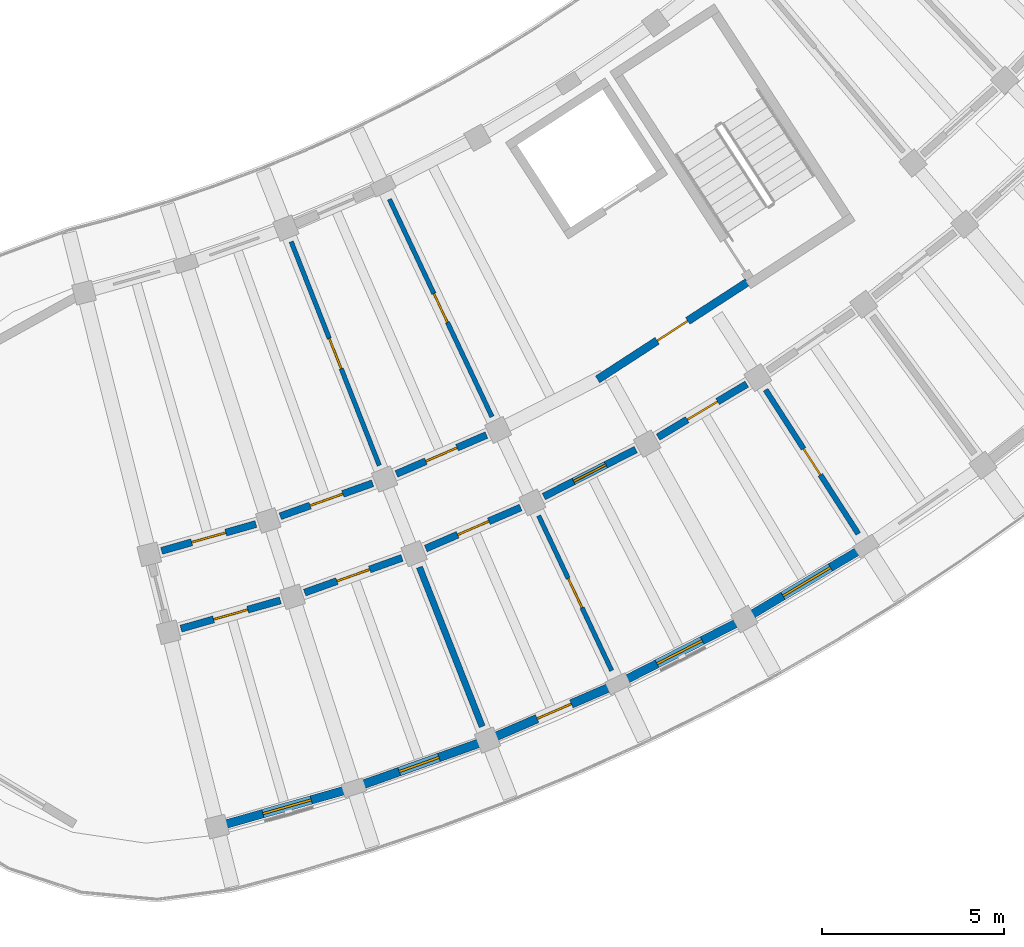
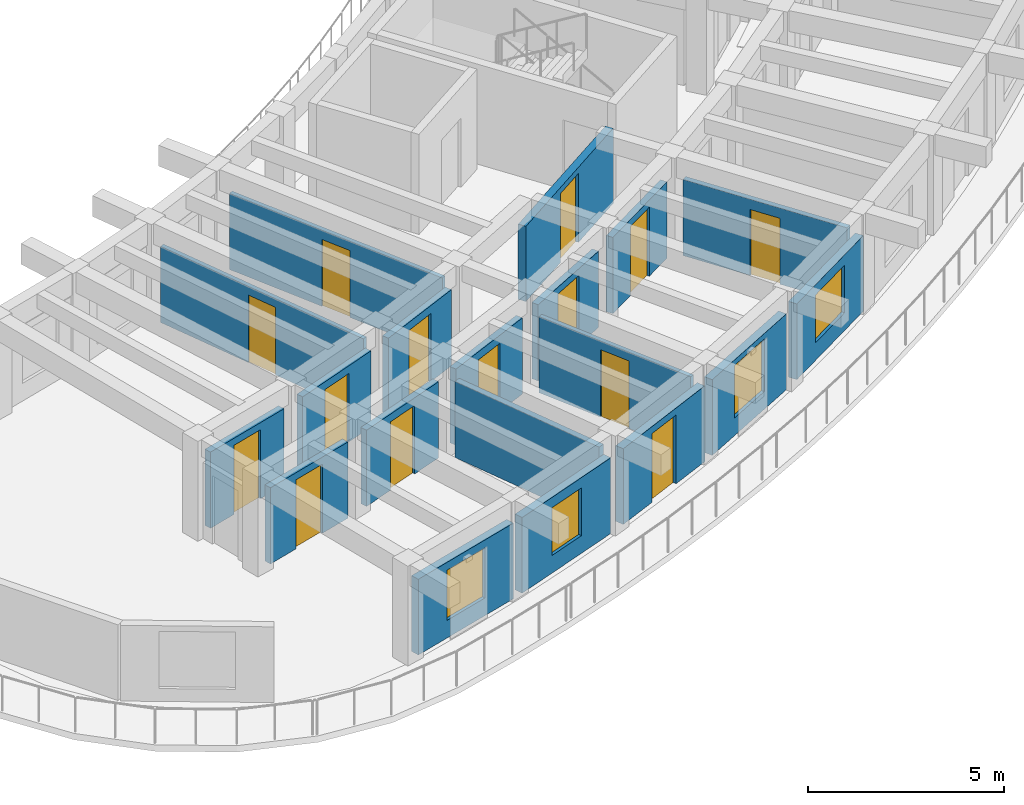
# One storey, part 52 of 81: 19 walls, 14 doors, 4 windows, 18 openings.
"""IFC4 building model written with IfcOpenShell, lengths in metres."""

from ifc_helpers import new_model, si_unit, direction, frame, frame_2d, origin, place, context, subcontext, project, spatial, rectangle, extrude, material, layer, layer_set, type_object, element, fill, save


model = new_model("IFC4")

# Units and contexts
model_context = context("Model", 3, precision=1e-05, world=origin(), true_north=direction((0.0, 1.0)))
body_context = subcontext(model_context, "Body", "Model", "MODEL_VIEW")
ifc_project = project(units=[si_unit("LENGTHUNIT", "METRE"), si_unit("AREAUNIT", "SQUARE_METRE"), si_unit("VOLUMEUNIT", "CUBIC_METRE"), si_unit("PLANEANGLEUNIT", "RADIAN"), si_unit("MASSUNIT", "GRAM", prefix="KILO")], contexts=[model_context])

# Site, building, storey
site_placement = place(None, origin())
site = spatial("IfcSite", under=ifc_project, at=site_placement, CompositionType="ELEMENT")
building_placement = place(site_placement, origin())
building = spatial("IfcBuilding", under=site, at=building_placement, Name="Tanwirah Colonnade Gardens", CompositionType="ELEMENT")
storey_placement = place(building_placement, frame((0.0, 0.0, 8.840087890625)))
storey = spatial("IfcBuildingStorey", under=building, at=storey_placement, Name="L02", CompositionType="ELEMENT", Elevation=8.840087890625)

# Wall, opening, window
ifc_material_1 = material(Name="Limestone architectural precast concrete C40/50", Category="masonry")
ifc_layer_1 = layer(ifc_material_1, 0.239990234375)
ifc_layer_set_1 = layer_set([ifc_layer_1], Name="Limestone architectural precast concrete C40/50")
wall_type_1 = type_object("IfcWallType", Name="EW-PC240", PredefinedType="SOLIDWALL", material=ifc_layer_set_1)
wall_1_placement = place(storey_placement, frame((135.64697265625, 6.787353515625, 0.0), z_axis=(0.0, 0.0, 1.0), x_axis=(0.961871954212, 0.2735001713, 0.0)))
wall_1 = element("IfcWall", 1, at=wall_1_placement, inside=storey, type_object=wall_type_1, Name="Block D L02 OUT Precast Facade Wall 0", PredefinedType="SOLIDWALL", context=body_context, shape_type="SweptSolid", body=[
    extrude(rectangle(XDim=3.48681640625, YDim=0.239990234375, at=frame_2d((1.743408203125, 0.0))), origin(), (0.0, 0.0, 1.0), 2.35498046875),
])
opening_1_placement = place(wall_1_placement, frame((1.053466796875, 0.0, 0.550048828125)))
opening_1 = element("IfcOpeningElement", 2, at=opening_1_placement, cuts=wall_1, Name="Opening WIN-T18", PredefinedType="OPENING", context=body_context, shape_type="SweptSolid", body=[
    extrude(rectangle(XDim=1.3798828125, YDim=1.56005859375, at=frame_2d((0.68994140625, 0.780029296875))), frame((0.0, 0.1298828125, 0.0), z_axis=(0.0, -1.0, 0.0), x_axis=(1.0, 0.0, 0.0)), (0.0, 0.0, 1.0), 0.260009765625),
])
ifc_material_2 = material(Name="Thermally broken bronze aluminium and solar low-E double glazing", Category="aluminium")
window_type_1 = type_object("IfcWindowType", Name="WIN-T18", PartitioningType="DOUBLE_PANEL_VERTICAL", PredefinedType="WINDOW", material=ifc_material_2)
window_1_placement = place(opening_1_placement, origin())
window_1 = element("IfcWindow", 3, at=window_1_placement, inside=storey, type_object=window_type_1, Name="Facade window D-L02-OUT-00", OverallHeight=1.56005859375, OverallWidth=1.3798828125, PartitioningType="SINGLE_PANEL", PredefinedType="WINDOW", context=body_context, shape_type="SweptSolid", body=[
    extrude(rectangle(XDim=1.3798828125, YDim=1.56005859375, at=frame_2d((0.68994140625, 0.780029296875))), frame((0.0, 0.030029296875, 0.0), z_axis=(0.0, -1.0, 0.0), x_axis=(1.0, 0.0, 0.0)), (0.0, 0.0, 1.0), 0.06005859375),
])
fill(opening_1, window_1)

wall_2_placement = place(storey_placement, frame((139.305419921875, 7.838623046875, 0.0), z_axis=(0.0, 0.0, 1.0), x_axis=(0.941903386561, 0.335883923976, 0.0)))
wall_2 = element("IfcWall", 4, at=wall_2_placement, inside=storey, type_object=wall_type_1, Name="Block D L02 OUT Precast Facade Wall 1", PredefinedType="SOLIDWALL", context=body_context, shape_type="SweptSolid", body=[
    extrude(rectangle(XDim=3.48681640625, YDim=0.239990234375, at=frame_2d((1.743408203125, 0.0))), origin(), (0.0, 0.0, 1.0), 2.35498046875),
])
opening_2_placement = place(wall_2_placement, frame((1.163330078125, 0.0, 0.550048828125)))
opening_2 = element("IfcOpeningElement", 5, at=opening_2_placement, cuts=wall_2, Name="Opening WIN-U01", PredefinedType="OPENING", context=body_context, shape_type="SweptSolid", body=[
    extrude(rectangle(XDim=1.159912109375, YDim=1.485107421875, at=frame_2d((0.580078125, 0.74267578125))), frame((0.0, 0.1298828125, 0.0), z_axis=(0.0, -1.0, 0.0), x_axis=(1.0, 0.0, 0.0)), (0.0, 0.0, 1.0), 0.260009765625),
])
window_type_2 = type_object("IfcWindowType", Name="WIN-U01", PartitioningType="DOUBLE_PANEL_VERTICAL", PredefinedType="WINDOW", material=ifc_material_2)
window_2_placement = place(opening_2_placement, origin())
window_2 = element("IfcWindow", 6, at=window_2_placement, inside=storey, type_object=window_type_2, Name="Facade window D-L02-OUT-01", OverallHeight=1.485107421875, OverallWidth=1.159912109375, PartitioningType="SINGLE_PANEL", PredefinedType="WINDOW", context=body_context, shape_type="SweptSolid", body=[
    extrude(rectangle(XDim=1.159912109375, YDim=1.485107421875, at=frame_2d((0.580078125, 0.74267578125))), frame((0.0, 0.030029296875, 0.0), z_axis=(0.0, -1.0, 0.0), x_axis=(1.0, 0.0, 0.0)), (0.0, 0.0, 1.0), 0.06005859375),
])
fill(opening_2, window_2)

# Wall, opening, door
wall_3_placement = place(storey_placement, frame((143.0546875, 9.19287109375, 0.0), z_axis=(0.0, 0.0, 1.0), x_axis=(0.917938367037, 0.396723019652, 0.0)))
wall_3 = element("IfcWall", 7, at=wall_3_placement, inside=storey, type_object=wall_type_1, Name="Block D L02 OUT Precast Facade Wall 2", PredefinedType="SOLIDWALL", context=body_context, shape_type="SweptSolid", body=[
    extrude(rectangle(XDim=3.48681640625, YDim=0.239990234375, at=frame_2d((1.743408203125, 0.0))), origin(), (0.0, 0.0, 1.0), 2.35498046875),
])
opening_3_placement = place(wall_3_placement, frame((1.2333984375, 0.0, 0.0)))
opening_3 = element("IfcOpeningElement", 8, at=opening_3_placement, cuts=wall_3, Name="Opening L02-ED181", PredefinedType="OPENING", context=body_context, shape_type="SweptSolid", body=[
    extrude(rectangle(XDim=1.02001953125, YDim=2.139892578125, at=frame_2d((0.510009765625, 1.06982421875))), frame((0.0, 0.1298828125, 0.0), z_axis=(0.0, -1.0, 0.0), x_axis=(1.0, 0.0, 0.0)), (0.0, 0.0, 1.0), 0.260009765625),
])
ifc_material_3 = material(Name="Bronze aluminium glazed balcony door", Category="aluminium")
door_type_1 = type_object("IfcDoorType", Name="ED-BAL102", OperationType="NOTDEFINED", PredefinedType="DOOR", material=ifc_material_3)
door_1_placement = place(opening_3_placement, origin())
door_1 = element("IfcDoor", 9, at=door_1_placement, inside=storey, type_object=door_type_1, Name="Balcony glazed door L02-ED181", OperationType="SINGLE_SWING_LEFT", OverallHeight=2.139892578125, OverallWidth=1.02001953125, PredefinedType="DOOR", context=body_context, shape_type="SweptSolid", body=[
    extrude(rectangle(XDim=1.02001953125, YDim=2.139892578125, at=frame_2d((0.510009765625, 1.06982421875))), frame((0.0, 0.02490234375, 0.0), z_axis=(0.0, -1.0, 0.0), x_axis=(1.0, 0.0, 0.0)), (0.0, 0.0, 1.0), 0.050048828125),
])
fill(opening_3, door_1)

# Wall, opening, window
wall_4_placement = place(storey_placement, frame((146.544677734375, 10.712646484375, 0.0), z_axis=(0.0, 0.0, 1.0), x_axis=(0.890001092753, 0.45595839163, 0.0)))
wall_4 = element("IfcWall", 10, at=wall_4_placement, inside=storey, type_object=wall_type_1, Name="Block D L02 OUT Precast Facade Wall 3", PredefinedType="SOLIDWALL", context=body_context, shape_type="SweptSolid", body=[
    extrude(rectangle(XDim=3.48681640625, YDim=0.239990234375, at=frame_2d((1.743408203125, 0.0))), origin(), (0.0, 0.0, 1.0), 2.35498046875),
])
opening_4_placement = place(wall_4_placement, frame((1.04345703125, 0.0, 0.550048828125)))
opening_4 = element("IfcOpeningElement", 11, at=opening_4_placement, cuts=wall_4, Name="Opening WIN-U07", PredefinedType="OPENING", context=body_context, shape_type="SweptSolid", body=[
    extrude(rectangle(XDim=1.39990234375, YDim=1.635009765625, at=frame_2d((0.699951171875, 0.8173828125))), frame((0.0, 0.1298828125, 0.0), z_axis=(0.0, -1.0, 0.0), x_axis=(1.0, 0.0, 0.0)), (0.0, 0.0, 1.0), 0.260009765625),
])
window_type_3 = type_object("IfcWindowType", Name="WIN-U07", PartitioningType="DOUBLE_PANEL_VERTICAL", PredefinedType="WINDOW", material=ifc_material_2)
window_3_placement = place(opening_4_placement, origin())
window_3 = element("IfcWindow", 12, at=window_3_placement, inside=storey, type_object=window_type_3, Name="Facade window D-L02-OUT-03", OverallHeight=1.635009765625, OverallWidth=1.39990234375, PartitioningType="SINGLE_PANEL", PredefinedType="WINDOW", context=body_context, shape_type="SweptSolid", body=[
    extrude(rectangle(XDim=1.39990234375, YDim=1.635009765625, at=frame_2d((0.699951171875, 0.8173828125))), frame((0.0, 0.030029296875, 0.0), z_axis=(0.0, -1.0, 0.0), x_axis=(1.0, 0.0, 0.0)), (0.0, 0.0, 1.0), 0.06005859375),
])
fill(opening_4, window_3)

wall_5_placement = place(storey_placement, frame((150.0849609375, 12.544677734375, 0.0), z_axis=(0.0, 0.0, 1.0), x_axis=(0.858288874148, 0.513166842766, 0.0)))
wall_5 = element("IfcWall", 13, at=wall_5_placement, inside=storey, type_object=wall_type_1, Name="Block D L02 OUT Precast Facade Wall 4", PredefinedType="SOLIDWALL", context=body_context, shape_type="SweptSolid", body=[
    extrude(rectangle(XDim=3.48681640625, YDim=0.239990234375, at=frame_2d((1.743408203125, 0.0))), origin(), (0.0, 0.0, 1.0), 2.35498046875),
])
opening_5_placement = place(wall_5_placement, frame((0.9833984375, 0.0, 0.550048828125)))
opening_5 = element("IfcOpeningElement", 14, at=opening_5_placement, cuts=wall_5, Name="Opening WIN-U10", PredefinedType="OPENING", context=body_context, shape_type="SweptSolid", body=[
    extrude(rectangle(XDim=1.52001953125, YDim=1.485107421875, at=frame_2d((0.760009765625, 0.74267578125))), frame((0.0, 0.1298828125, 0.0), z_axis=(0.0, -1.0, 0.0), x_axis=(1.0, 0.0, 0.0)), (0.0, 0.0, 1.0), 0.260009765625),
])
window_type_4 = type_object("IfcWindowType", Name="WIN-U10", PartitioningType="DOUBLE_PANEL_VERTICAL", PredefinedType="WINDOW", material=ifc_material_2)
window_4_placement = place(opening_5_placement, origin())
window_4 = element("IfcWindow", 15, at=window_4_placement, inside=storey, type_object=window_type_4, Name="Facade window D-L02-OUT-04", OverallHeight=1.485107421875, OverallWidth=1.52001953125, PartitioningType="SINGLE_PANEL", PredefinedType="WINDOW", context=body_context, shape_type="SweptSolid", body=[
    extrude(rectangle(XDim=1.52001953125, YDim=1.485107421875, at=frame_2d((0.760009765625, 0.74267578125))), frame((0.0, 0.030029296875, 0.0), z_axis=(0.0, -1.0, 0.0), x_axis=(1.0, 0.0, 0.0)), (0.0, 0.0, 1.0), 0.06005859375),
])
fill(opening_5, window_4)

# Wall, opening, door
ifc_material_4 = material(Name="Precast concrete C40/50", Category="concrete")
ifc_layer_2 = layer(ifc_material_4, 0.195068359375)
ifc_layer_set_2 = layer_set([ifc_layer_2], Name="Precast concrete C40/50")
wall_type_2 = type_object("IfcWallType", Name="IW-CORR195", PredefinedType="PARTITIONING", material=ifc_layer_set_2)
wall_6_placement = place(storey_placement, frame((134.41259765625, 12.1513671875, 0.0), z_axis=(0.0, 0.0, 1.0), x_axis=(0.961873892319, 0.273493355085, 0.0)))
wall_6 = element("IfcWall", 16, at=wall_6_placement, inside=storey, type_object=wall_type_2, Name="Block D L02 OUT Corridor Wall 0", PredefinedType="PARTITIONING", context=body_context, shape_type="SweptSolid", body=[
    extrude(rectangle(XDim=2.8369140625, YDim=0.195068359375, at=frame_2d((1.41845703125, 0.0))), origin(), (0.0, 0.0, 1.0), 2.369873046875),
])
opening_6_placement = place(wall_6_placement, frame((0.93359375, 0.0, 0.0)))
opening_6 = element("IfcOpeningElement", 17, at=opening_6_placement, cuts=wall_6, Name="Opening L02-AD1724", PredefinedType="OPENING", context=body_context, shape_type="SweptSolid", body=[
    extrude(rectangle(XDim=0.969970703125, YDim=2.14990234375, at=frame_2d((0.48486328125, 1.074951171875))), frame((0.0, 0.107421875, 0.0), z_axis=(0.0, -1.0, 0.0), x_axis=(1.0, 0.0, 0.0)), (0.0, 0.0, 1.0), 0.215087890625),
])
ifc_material_5 = material(Name="Solid oak fire-resisting apartment entrance door")
door_type_2 = type_object("IfcDoorType", Name="ID-FLT097", OperationType="NOTDEFINED", PredefinedType="DOOR", material=ifc_material_5)
door_2_placement = place(opening_6_placement, origin())
door_2 = element("IfcDoor", 18, at=door_2_placement, inside=storey, type_object=door_type_2, Name="Apartment corridor door L02-AD1724", OperationType="SINGLE_SWING_LEFT", OverallHeight=2.14990234375, OverallWidth=0.969970703125, PredefinedType="DOOR", context=body_context, shape_type="SweptSolid", body=[
    extrude(rectangle(XDim=0.969970703125, YDim=2.14990234375, at=frame_2d((0.48486328125, 1.074951171875))), frame((0.0, 0.02490234375, 0.0), z_axis=(0.0, -1.0, 0.0), x_axis=(1.0, 0.0, 0.0)), (0.0, 0.0, 1.0), 0.050048828125),
])
fill(opening_6, door_2)

wall_7_placement = place(storey_placement, frame((133.88037109375, 14.285888671875, 0.0), z_axis=(0.0, 0.0, 1.0), x_axis=(0.961861926514, 0.273535435224, 0.0)))
wall_7 = element("IfcWall", 19, at=wall_7_placement, inside=storey, type_object=wall_type_2, Name="Block D L02 IN Corridor Wall 0", PredefinedType="PARTITIONING", context=body_context, shape_type="SweptSolid", body=[
    extrude(rectangle(XDim=2.69287109375, YDim=0.195068359375, at=frame_2d((1.346435546875, 0.0))), origin(), (0.0, 0.0, 1.0), 2.369873046875),
])
opening_7_placement = place(wall_7_placement, frame((0.861572265625, 0.0, 0.0)))
opening_7 = element("IfcOpeningElement", 20, at=opening_7_placement, cuts=wall_7, Name="Opening L02-AD1725", PredefinedType="OPENING", context=body_context, shape_type="SweptSolid", body=[
    extrude(rectangle(XDim=0.969970703125, YDim=2.14990234375, at=frame_2d((0.48486328125, 1.074951171875))), frame((0.0, 0.107421875, 0.0), z_axis=(0.0, -1.0, 0.0), x_axis=(1.0, 0.0, 0.0)), (0.0, 0.0, 1.0), 0.215087890625),
])
door_3_placement = place(opening_7_placement, origin())
door_3 = element("IfcDoor", 21, at=door_3_placement, inside=storey, type_object=door_type_2, Name="Apartment corridor door L02-AD1725", OperationType="SINGLE_SWING_RIGHT", OverallHeight=2.14990234375, OverallWidth=0.969970703125, PredefinedType="DOOR", context=body_context, shape_type="SweptSolid", body=[
    extrude(rectangle(XDim=0.969970703125, YDim=2.14990234375, at=frame_2d((0.48486328125, 1.074951171875))), frame((0.0, 0.02490234375, 0.0), z_axis=(0.0, -1.0, 0.0), x_axis=(1.0, 0.0, 0.0)), (0.0, 0.0, 1.0), 0.050048828125),
])
fill(opening_7, door_3)

wall_8_placement = place(storey_placement, frame((137.8076171875, 13.140625, 0.0), z_axis=(0.0, 0.0, 1.0), x_axis=(0.941930628611, 0.335807520589, 0.0)))
wall_8 = element("IfcWall", 22, at=wall_8_placement, inside=storey, type_object=wall_type_2, Name="Block D L02 OUT Corridor Wall 1", PredefinedType="PARTITIONING", context=body_context, shape_type="SweptSolid", body=[
    extrude(rectangle(XDim=2.8369140625, YDim=0.195068359375, at=frame_2d((1.41845703125, 0.0))), origin(), (0.0, 0.0, 1.0), 2.369873046875),
])
opening_8_placement = place(wall_8_placement, frame((0.943603515625, 0.0, 0.0)))
opening_8 = element("IfcOpeningElement", 23, at=opening_8_placement, cuts=wall_8, Name="Opening L02-AD1726", PredefinedType="OPENING", context=body_context, shape_type="SweptSolid", body=[
    extrude(rectangle(XDim=0.949951171875, YDim=2.1298828125, at=frame_2d((0.47509765625, 1.06494140625))), frame((0.0, 0.107421875, 0.0), z_axis=(0.0, -1.0, 0.0), x_axis=(1.0, 0.0, 0.0)), (0.0, 0.0, 1.0), 0.215087890625),
])
door_type_3 = type_object("IfcDoorType", Name="ID-FLT095", OperationType="NOTDEFINED", PredefinedType="DOOR", material=ifc_material_5)
door_4_placement = place(opening_8_placement, origin())
door_4 = element("IfcDoor", 24, at=door_4_placement, inside=storey, type_object=door_type_3, Name="Apartment corridor door L02-AD1726", OperationType="SINGLE_SWING_RIGHT", OverallHeight=2.1298828125, OverallWidth=0.949951171875, PredefinedType="DOOR", context=body_context, shape_type="SweptSolid", body=[
    extrude(rectangle(XDim=0.949951171875, YDim=2.1298828125, at=frame_2d((0.47509765625, 1.06494140625))), frame((0.0, 0.02490234375, 0.0), z_axis=(0.0, -1.0, 0.0), x_axis=(1.0, 0.0, 0.0)), (0.0, 0.0, 1.0), 0.050048828125),
])
fill(opening_8, door_4)

wall_9_placement = place(storey_placement, frame((137.136962890625, 15.23583984375, 0.0), z_axis=(0.0, 0.0, 1.0), x_axis=(0.941895652647, 0.335905611036, 0.0)))
wall_9 = element("IfcWall", 25, at=wall_9_placement, inside=storey, type_object=wall_type_2, Name="Block D L02 IN Corridor Wall 1", PredefinedType="PARTITIONING", context=body_context, shape_type="SweptSolid", body=[
    extrude(rectangle(XDim=2.69287109375, YDim=0.195068359375, at=frame_2d((1.346435546875, 0.0))), origin(), (0.0, 0.0, 1.0), 2.369873046875),
])
opening_9_placement = place(wall_9_placement, frame((0.87158203125, 0.0, 0.0)))
opening_9 = element("IfcOpeningElement", 26, at=opening_9_placement, cuts=wall_9, Name="Opening L02-AD1727", PredefinedType="OPENING", context=body_context, shape_type="SweptSolid", body=[
    extrude(rectangle(XDim=0.949951171875, YDim=2.1298828125, at=frame_2d((0.47509765625, 1.06494140625))), frame((0.0, 0.107421875, 0.0), z_axis=(0.0, -1.0, 0.0), x_axis=(1.0, 0.0, 0.0)), (0.0, 0.0, 1.0), 0.215087890625),
])
door_5_placement = place(opening_9_placement, origin())
door_5 = element("IfcDoor", 27, at=door_5_placement, inside=storey, type_object=door_type_3, Name="Apartment corridor door L02-AD1727", OperationType="SINGLE_SWING_LEFT", OverallHeight=2.1298828125, OverallWidth=0.949951171875, PredefinedType="DOOR", context=body_context, shape_type="SweptSolid", body=[
    extrude(rectangle(XDim=0.949951171875, YDim=2.1298828125, at=frame_2d((0.47509765625, 1.06494140625))), frame((0.0, 0.02490234375, 0.0), z_axis=(0.0, -1.0, 0.0), x_axis=(1.0, 0.0, 0.0)), (0.0, 0.0, 1.0), 0.050048828125),
])
fill(opening_9, door_5)

wall_10_placement = place(storey_placement, frame((141.130615234375, 14.349853515625, 0.0), z_axis=(0.0, 0.0, 1.0), x_axis=(0.917943439406, 0.396711282991, 0.0)))
wall_10 = element("IfcWall", 28, at=wall_10_placement, inside=storey, type_object=wall_type_2, Name="Block D L02 OUT Corridor Wall 2", PredefinedType="PARTITIONING", context=body_context, shape_type="SweptSolid", body=[
    extrude(rectangle(XDim=2.837158203125, YDim=0.195068359375, at=frame_2d((1.41845703125, 0.0))), origin(), (0.0, 0.0, 1.0), 2.369873046875),
])
opening_10_placement = place(wall_10_placement, frame((0.95361328125, 0.0, 0.0)))
opening_10 = element("IfcOpeningElement", 29, at=opening_10_placement, cuts=wall_10, Name="Opening L02-AD1729", PredefinedType="OPENING", context=body_context, shape_type="SweptSolid", body=[
    extrude(rectangle(XDim=0.929931640625, YDim=2.1201171875, at=frame_2d((0.46484375, 1.06005859375))), frame((0.0, 0.107421875, 0.0), z_axis=(0.0, -1.0, 0.0), x_axis=(1.0, 0.0, 0.0)), (0.0, 0.0, 1.0), 0.215087890625),
])
door_type_4 = type_object("IfcDoorType", Name="ID-FLT093", OperationType="NOTDEFINED", PredefinedType="DOOR", material=ifc_material_5)
door_6_placement = place(opening_10_placement, origin())
door_6 = element("IfcDoor", 30, at=door_6_placement, inside=storey, type_object=door_type_4, Name="Apartment corridor door L02-AD1729", OperationType="SINGLE_SWING_LEFT", OverallHeight=2.1201171875, OverallWidth=0.929931640625, PredefinedType="DOOR", context=body_context, shape_type="SweptSolid", body=[
    extrude(rectangle(XDim=0.929931640625, YDim=2.1201171875, at=frame_2d((0.46484375, 1.06005859375))), frame((0.0, 0.02490234375, 0.0), z_axis=(0.0, -1.0, 0.0), x_axis=(1.0, 0.0, 0.0)), (0.0, 0.0, 1.0), 0.050048828125),
])
fill(opening_10, door_6)

wall_11_placement = place(storey_placement, frame((140.324462890625, 16.396728515625, 0.0), z_axis=(0.0, 0.0, 1.0), x_axis=(0.91793557165, 0.39672948756, 0.0)))
wall_11 = element("IfcWall", 31, at=wall_11_placement, inside=storey, type_object=wall_type_2, Name="Block D L02 IN Corridor Wall 2", PredefinedType="PARTITIONING", context=body_context, shape_type="SweptSolid", body=[
    extrude(rectangle(XDim=2.69287109375, YDim=0.195068359375, at=frame_2d((1.346435546875, 0.0))), origin(), (0.0, 0.0, 1.0), 2.369873046875),
])
opening_11_placement = place(wall_11_placement, frame((0.881591796875, 0.0, 0.0)))
opening_11 = element("IfcOpeningElement", 32, at=opening_11_placement, cuts=wall_11, Name="Opening L02-AD1730", PredefinedType="OPENING", context=body_context, shape_type="SweptSolid", body=[
    extrude(rectangle(XDim=0.929931640625, YDim=2.1201171875, at=frame_2d((0.46484375, 1.06005859375))), frame((0.0, 0.107421875, 0.0), z_axis=(0.0, -1.0, 0.0), x_axis=(1.0, 0.0, 0.0)), (0.0, 0.0, 1.0), 0.215087890625),
])
door_7_placement = place(opening_11_placement, origin())
door_7 = element("IfcDoor", 33, at=door_7_placement, inside=storey, type_object=door_type_4, Name="Apartment corridor door L02-AD1730", OperationType="SINGLE_SWING_RIGHT", OverallHeight=2.1201171875, OverallWidth=0.929931640625, PredefinedType="DOOR", context=body_context, shape_type="SweptSolid", body=[
    extrude(rectangle(XDim=0.929931640625, YDim=2.1201171875, at=frame_2d((0.46484375, 1.06005859375))), frame((0.0, 0.02490234375, 0.0), z_axis=(0.0, -1.0, 0.0), x_axis=(1.0, 0.0, 0.0)), (0.0, 0.0, 1.0), 0.050048828125),
])
fill(opening_11, door_7)

wall_12_placement = place(storey_placement, frame((144.367431640625, 15.773681640625, 0.0), z_axis=(0.0, 0.0, 1.0), x_axis=(0.890030590607, 0.45590080915, 0.0)))
wall_12 = element("IfcWall", 34, at=wall_12_placement, inside=storey, type_object=wall_type_2, Name="Block D L02 OUT Corridor Wall 3", PredefinedType="PARTITIONING", context=body_context, shape_type="SweptSolid", body=[
    extrude(rectangle(XDim=2.837158203125, YDim=0.195068359375, at=frame_2d((1.41845703125, 0.0))), origin(), (0.0, 0.0, 1.0), 2.369873046875),
])
opening_12_placement = place(wall_12_placement, frame((0.923583984375, 0.0, 0.0)))
opening_12 = element("IfcOpeningElement", 35, at=opening_12_placement, cuts=wall_12, Name="Opening L02-AD1733", PredefinedType="OPENING", context=body_context, shape_type="SweptSolid", body=[
    extrude(rectangle(XDim=0.989990234375, YDim=2.159912109375, at=frame_2d((0.4951171875, 1.080078125))), frame((0.0, 0.107421875, 0.0), z_axis=(0.0, -1.0, 0.0), x_axis=(1.0, 0.0, 0.0)), (0.0, 0.0, 1.0), 0.215087890625),
])
door_type_5 = type_object("IfcDoorType", Name="ID-FLT099", OperationType="NOTDEFINED", PredefinedType="DOOR", material=ifc_material_5)
door_8_placement = place(opening_12_placement, origin())
door_8 = element("IfcDoor", 36, at=door_8_placement, inside=storey, type_object=door_type_5, Name="Apartment corridor door L02-AD1733", OperationType="SINGLE_SWING_RIGHT", OverallHeight=2.159912109375, OverallWidth=0.989990234375, PredefinedType="DOOR", context=body_context, shape_type="SweptSolid", body=[
    extrude(rectangle(XDim=0.989990234375, YDim=2.159912109375, at=frame_2d((0.4951171875, 1.080078125))), frame((0.0, 0.02490234375, 0.0), z_axis=(0.0, -1.0, 0.0), x_axis=(1.0, 0.0, 0.0)), (0.0, 0.0, 1.0), 0.050048828125),
])
fill(opening_12, door_8)

wall_13_placement = place(storey_placement, frame((147.50439453125, 17.406494140625, 0.0), z_axis=(0.0, 0.0, 1.0), x_axis=(0.858281647443, 0.51317892948, 0.0)))
wall_13 = element("IfcWall", 37, at=wall_13_placement, inside=storey, type_object=wall_type_2, Name="Block D L02 OUT Corridor Wall 4", PredefinedType="PARTITIONING", context=body_context, shape_type="SweptSolid", body=[
    extrude(rectangle(XDim=2.8369140625, YDim=0.195068359375, at=frame_2d((1.41845703125, 0.0))), origin(), (0.0, 0.0, 1.0), 2.369873046875),
])
opening_13_placement = place(wall_13_placement, frame((0.93359375, 0.0, 0.0)))
opening_13 = element("IfcOpeningElement", 38, at=opening_13_placement, cuts=wall_13, Name="Opening L02-AD1734", PredefinedType="OPENING", context=body_context, shape_type="SweptSolid", body=[
    extrude(rectangle(XDim=0.969970703125, YDim=2.14990234375, at=frame_2d((0.48486328125, 1.074951171875))), frame((0.0, 0.107421875, 0.0), z_axis=(0.0, -1.0, 0.0), x_axis=(1.0, 0.0, 0.0)), (0.0, 0.0, 1.0), 0.215087890625),
])
door_9_placement = place(opening_13_placement, origin())
door_9 = element("IfcDoor", 39, at=door_9_placement, inside=storey, type_object=door_type_2, Name="Apartment corridor door L02-AD1734", OperationType="SINGLE_SWING_LEFT", OverallHeight=2.14990234375, OverallWidth=0.969970703125, PredefinedType="DOOR", context=body_context, shape_type="SweptSolid", body=[
    extrude(rectangle(XDim=0.969970703125, YDim=2.14990234375, at=frame_2d((0.48486328125, 1.074951171875))), frame((0.0, 0.02490234375, 0.0), z_axis=(0.0, -1.0, 0.0), x_axis=(1.0, 0.0, 0.0)), (0.0, 0.0, 1.0), 0.050048828125),
])
fill(opening_13, door_9)

# Wall
ifc_layer_3 = layer(ifc_material_4, 0.175048828125)
ifc_layer_set_3 = layer_set([ifc_layer_3], Name="Precast concrete C40/50")
wall_type_3 = type_object("IfcWallType", Name="IW-DEM175", PredefinedType="PARTITIONING", material=ifc_layer_set_3)
wall_14_placement = place(storey_placement, frame((140.9560546875, 13.8388671875, 0.0), z_axis=(0.0, 0.0, 1.0), x_axis=(0.366468650514, -0.930430399434, 0.0)))
element("IfcWall", 40, at=wall_14_placement, inside=storey, type_object=wall_type_3, Name="Block D L02 Radial Partition 1", PredefinedType="PARTITIONING", context=body_context, shape_type="SweptSolid", body=[
    extrude(rectangle(XDim=4.699951171875, YDim=0.175048828125, at=frame_2d((2.35009765625, 0.0))), origin(), (0.0, 0.0, 1.0), 2.369873046875),
])

# Wall, opening, door
ifc_material_6 = material(Name="Autoclaved aerated masonry blockwork", Category="masonry")
ifc_layer_4 = layer(ifc_material_6, 0.219970703125)
ifc_layer_set_4 = layer_set([ifc_layer_4], Name="Autoclaved aerated masonry blockwork")
wall_type_4 = type_object("IfcWallType", Name="IW-FFL220", PredefinedType="PARTITIONING", material=ifc_layer_set_4)
wall_15_placement = place(storey_placement, frame((149.95458984375, 21.658203125, 0.0), z_axis=(0.0, 0.0, 1.0), x_axis=(-0.838681446513, -0.544622283124, 0.0)))
wall_15 = element("IfcWall", 41, at=wall_15_placement, inside=storey, type_object=wall_type_4, Name="CORE-D1 L02 Enclosed Lobby Fire Wall", PredefinedType="PARTITIONING", context=body_context, shape_type="SweptSolid", body=[
    extrude(rectangle(XDim=4.900146484375, YDim=0.219970703125, at=frame_2d((2.4501953125, 0.0))), origin(), (0.0, 0.0, 1.0), 2.33984375),
])
opening_14_placement = place(wall_15_placement, frame((1.949951171875, 0.0, 0.0)))
opening_14 = element("IfcOpeningElement", 42, at=opening_14_placement, cuts=wall_15, Name="Opening L02-LD182", PredefinedType="OPENING", context=body_context, shape_type="SweptSolid", body=[
    extrude(rectangle(XDim=1.0, YDim=2.14990234375, at=frame_2d((0.5, 1.074951171875))), frame((0.0, 0.119873046875, 0.0), z_axis=(0.0, -1.0, 0.0), x_axis=(1.0, 0.0, 0.0)), (0.0, 0.0, 1.0), 0.239990234375),
])
ifc_material_7 = material(Name="Acoustic fire-resisting lobby door")
door_type_6 = type_object("IfcDoorType", Name="ID-FFL100", OperationType="NOTDEFINED", PredefinedType="DOOR", material=ifc_material_7)
door_10_placement = place(opening_14_placement, origin())
door_10 = element("IfcDoor", 43, at=door_10_placement, inside=storey, type_object=door_type_6, Name="CORE-D1 L02 Lobby Fire Door L02-LD182", OperationType="SINGLE_SWING_LEFT", OverallHeight=2.14990234375, OverallWidth=1.0, PredefinedType="DOOR", context=body_context, shape_type="SweptSolid", body=[
    extrude(rectangle(XDim=1.0, YDim=2.14990234375, at=frame_2d((0.5, 1.074951171875))), frame((0.0, 0.02490234375, 0.0), z_axis=(0.0, -1.0, 0.0), x_axis=(1.0, 0.0, 0.0)), (0.0, 0.0, 1.0), 0.050048828125),
])
fill(opening_14, door_10)

ifc_material_8 = material(Name="Moisture-resistant gypsum stud partition")
ifc_layer_5 = layer(ifc_material_8, 0.125)
ifc_layer_set_5 = layer_set([ifc_layer_5], Name="Moisture-resistant gypsum stud partition")
wall_type_5 = type_object("IfcWallType", Name="IW-INT125", PredefinedType="PARTITIONING", material=ifc_layer_set_5)
wall_16_placement = place(storey_placement, frame((137.4375, 22.770751953125, 0.0), z_axis=(0.0, 0.0, 1.0), x_axis=(0.366512873936, -0.930412979939, 0.0)))
wall_16 = element("IfcWall", 44, at=wall_16_placement, inside=storey, type_object=wall_type_5, Name="Block D L02 Inner Radial Partition 1", PredefinedType="PARTITIONING", context=body_context, shape_type="SweptSolid", body=[
    extrude(rectangle(XDim=6.599853515625, YDim=0.125, at=frame_2d((3.2998046875, 0.0))), origin(), (0.0, 0.0, 1.0), 2.369873046875),
])
opening_15_placement = place(wall_16_placement, frame((2.85498046875, 0.0, 0.0)))
opening_15 = element("IfcOpeningElement", 45, at=opening_15_placement, cuts=wall_16, Name="Opening L02-RD1728", PredefinedType="OPENING", context=body_context, shape_type="SweptSolid", body=[
    extrude(rectangle(XDim=0.889892578125, YDim=2.10009765625, at=frame_2d((0.44482421875, 1.050048828125))), frame((0.0, 0.072509765625, 0.0), z_axis=(0.0, -1.0, 0.0), x_axis=(1.0, 0.0, 0.0)), (0.0, 0.0, 1.0), 0.14501953125),
])
ifc_material_9 = material(Name="Painted hardwood bedroom door", Category="wood")
door_type_7 = type_object("IfcDoorType", Name="ID-RM089", OperationType="NOTDEFINED", PredefinedType="DOOR", material=ifc_material_9)
door_11_placement = place(opening_15_placement, origin())
door_11 = element("IfcDoor", 46, at=door_11_placement, inside=storey, type_object=door_type_7, Name="Internal apartment door L02-RD1728", OperationType="SINGLE_SWING_LEFT", OverallHeight=2.10009765625, OverallWidth=0.889892578125, PredefinedType="DOOR", context=body_context, shape_type="SweptSolid", body=[
    extrude(rectangle(XDim=0.889892578125, YDim=2.10009765625, at=frame_2d((0.44482421875, 1.050048828125))), frame((0.0, 0.02490234375, 0.0), z_axis=(0.0, -1.0, 0.0), x_axis=(1.0, 0.0, 0.0)), (0.0, 0.0, 1.0), 0.050048828125),
])
fill(opening_15, door_11)

wall_17_placement = place(storey_placement, frame((144.2265625, 15.25244140625, 0.0), z_axis=(0.0, 0.0, 1.0), x_axis=(0.426567365945, -0.904455793453, 0.0)))
wall_17 = element("IfcWall", 47, at=wall_17_placement, inside=storey, type_object=wall_type_5, Name="Block D L02 Radial Partition 2", PredefinedType="PARTITIONING", context=body_context, shape_type="SweptSolid", body=[
    extrude(rectangle(XDim=4.699951171875, YDim=0.125, at=frame_2d((2.35009765625, 0.0))), origin(), (0.0, 0.0, 1.0), 2.369873046875),
])
opening_16_placement = place(wall_17_placement, frame((1.905029296875, 0.0, 0.0)))
opening_16 = element("IfcOpeningElement", 48, at=opening_16_placement, cuts=wall_17, Name="Opening L02-RD1731", PredefinedType="OPENING", context=body_context, shape_type="SweptSolid", body=[
    extrude(rectangle(XDim=0.889892578125, YDim=2.10009765625, at=frame_2d((0.44482421875, 1.050048828125))), frame((0.0, 0.072509765625, 0.0), z_axis=(0.0, -1.0, 0.0), x_axis=(1.0, 0.0, 0.0)), (0.0, 0.0, 1.0), 0.14501953125),
])
door_12_placement = place(opening_16_placement, origin())
door_12 = element("IfcDoor", 49, at=door_12_placement, inside=storey, type_object=door_type_7, Name="Internal apartment door L02-RD1731", OperationType="SINGLE_SWING_LEFT", OverallHeight=2.10009765625, OverallWidth=0.889892578125, PredefinedType="DOOR", context=body_context, shape_type="SweptSolid", body=[
    extrude(rectangle(XDim=0.889892578125, YDim=2.10009765625, at=frame_2d((0.44482421875, 1.050048828125))), frame((0.0, 0.02490234375, 0.0), z_axis=(0.0, -1.0, 0.0), x_axis=(1.0, 0.0, 0.0)), (0.0, 0.0, 1.0), 0.050048828125),
])
fill(opening_16, door_12)

wall_18_placement = place(storey_placement, frame((140.131591796875, 23.935302734375, 0.0), z_axis=(0.0, 0.0, 1.0), x_axis=(0.426573573579, -0.904452865728, 0.0)))
wall_18 = element("IfcWall", 50, at=wall_18_placement, inside=storey, type_object=wall_type_5, Name="Block D L02 Inner Radial Partition 2", PredefinedType="PARTITIONING", context=body_context, shape_type="SweptSolid", body=[
    extrude(rectangle(XDim=6.60009765625, YDim=0.125, at=frame_2d((3.300048828125, 0.0))), origin(), (0.0, 0.0, 1.0), 2.369873046875),
])
opening_17_placement = place(wall_18_placement, frame((2.864990234375, 0.0, 0.0)))
opening_17 = element("IfcOpeningElement", 51, at=opening_17_placement, cuts=wall_18, Name="Opening L02-RD1732", PredefinedType="OPENING", context=body_context, shape_type="SweptSolid", body=[
    extrude(rectangle(XDim=0.8701171875, YDim=2.080078125, at=frame_2d((0.43505859375, 1.0400390625))), frame((0.0, 0.072509765625, 0.0), z_axis=(0.0, -1.0, 0.0), x_axis=(1.0, 0.0, 0.0)), (0.0, 0.0, 1.0), 0.14501953125),
])
ifc_material_10 = material(Name="Painted hardwood study door", Category="wood")
door_type_8 = type_object("IfcDoorType", Name="ID-RM087", OperationType="NOTDEFINED", PredefinedType="DOOR", material=ifc_material_10)
door_13_placement = place(opening_17_placement, origin())
door_13 = element("IfcDoor", 52, at=door_13_placement, inside=storey, type_object=door_type_8, Name="Internal apartment door L02-RD1732", OperationType="SINGLE_SWING_RIGHT", OverallHeight=2.080078125, OverallWidth=0.8701171875, PredefinedType="DOOR", context=body_context, shape_type="SweptSolid", body=[
    extrude(rectangle(XDim=0.8701171875, YDim=2.080078125, at=frame_2d((0.43505859375, 1.0400390625))), frame((0.0, 0.02490234375, 0.0), z_axis=(0.0, -1.0, 0.0), x_axis=(1.0, 0.0, 0.0)), (0.0, 0.0, 1.0), 0.050048828125),
])
fill(opening_17, door_13)

ifc_material_11 = material(Name="Water-resistant acoustic plumbing partition")
ifc_layer_6 = layer(ifc_material_11, 0.14990234375)
ifc_layer_set_6 = layer_set([ifc_layer_6], Name="Water-resistant acoustic plumbing partition")
wall_type_6 = type_object("IfcWallType", Name="IW-WET150", PredefinedType="PLUMBINGWALL", material=ifc_layer_set_6)
wall_19_placement = place(storey_placement, frame((150.4560546875, 18.705322265625, 0.0), z_axis=(0.0, 0.0, 1.0), x_axis=(0.540959731567, -0.84104849374, 0.0)))
wall_19 = element("IfcWall", 53, at=wall_19_placement, inside=storey, type_object=wall_type_6, Name="Block D L02 Radial Partition 4", PredefinedType="PLUMBINGWALL", context=body_context, shape_type="SweptSolid", body=[
    extrude(rectangle(XDim=4.699951171875, YDim=0.14990234375, at=frame_2d((2.35009765625, 0.0))), origin(), (0.0, 0.0, 1.0), 2.369873046875),
])
opening_18_placement = place(wall_19_placement, frame((1.925048828125, 0.0, 0.0)))
opening_18 = element("IfcOpeningElement", 54, at=opening_18_placement, cuts=wall_19, Name="Opening L02-RD1735", PredefinedType="OPENING", context=body_context, shape_type="SweptSolid", body=[
    extrude(rectangle(XDim=0.85009765625, YDim=2.050048828125, at=frame_2d((0.425048828125, 1.02490234375))), frame((0.0, 0.0849609375, 0.0), z_axis=(0.0, -1.0, 0.0), x_axis=(1.0, 0.0, 0.0)), (0.0, 0.0, 1.0), 0.169921875),
])
ifc_material_12 = material(Name="Moisture-resistant en-suite door")
door_type_9 = type_object("IfcDoorType", Name="ID-WET085", OperationType="NOTDEFINED", PredefinedType="DOOR", material=ifc_material_12)
door_14_placement = place(opening_18_placement, origin())
door_14 = element("IfcDoor", 55, at=door_14_placement, inside=storey, type_object=door_type_9, Name="Internal apartment door L02-RD1735", OperationType="SINGLE_SWING_LEFT", OverallHeight=2.050048828125, OverallWidth=0.85009765625, PredefinedType="DOOR", context=body_context, shape_type="SweptSolid", body=[
    extrude(rectangle(XDim=0.85009765625, YDim=2.050048828125, at=frame_2d((0.425048828125, 1.02490234375))), frame((0.0, 0.02490234375, 0.0), z_axis=(0.0, -1.0, 0.0), x_axis=(1.0, 0.0, 0.0)), (0.0, 0.0, 1.0), 0.050048828125),
])
fill(opening_18, door_14)

save(model, "model.ifc")
